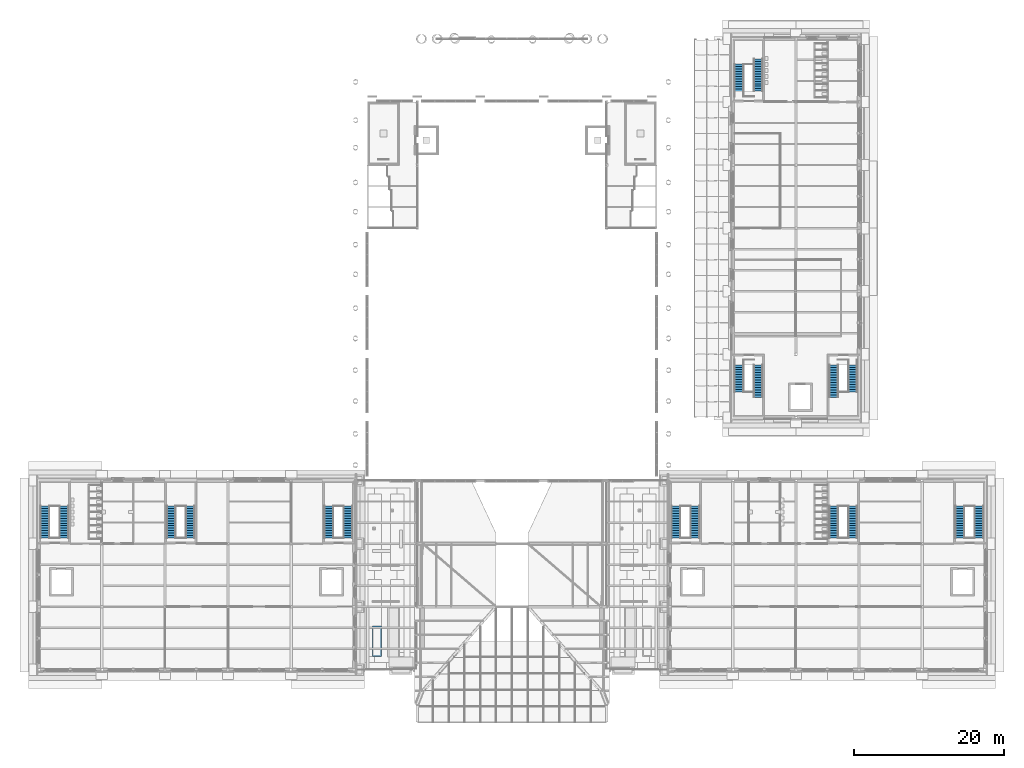
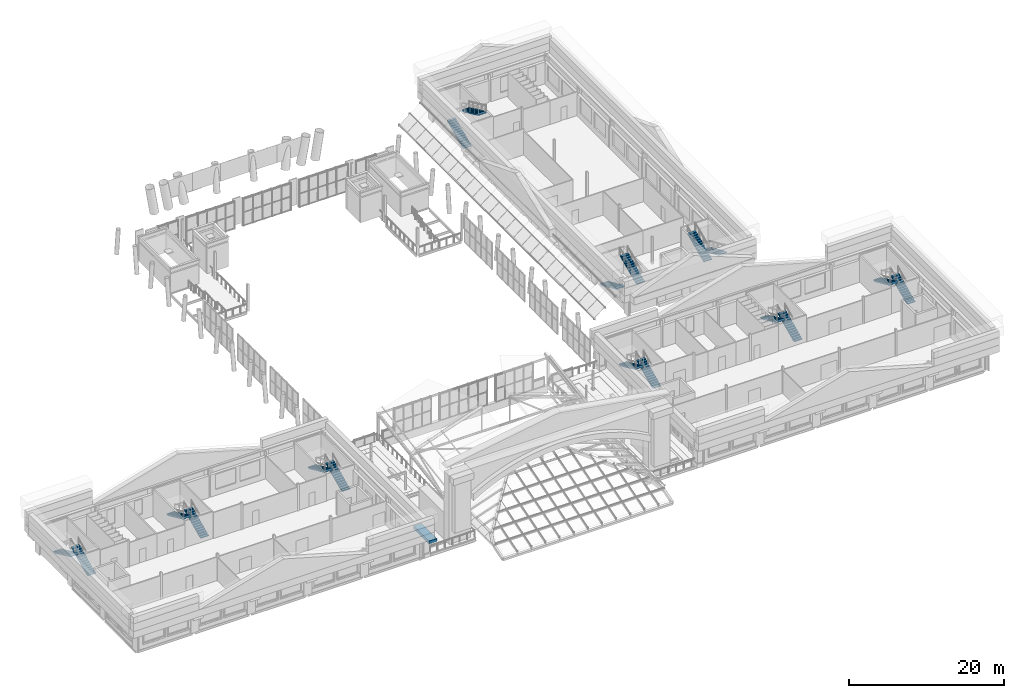
# One storey, part 48 of 76: 18 stair flights, 1 discrete accessory, 9 elements without a shape of their own.
"""IFC4 building model written with IfcOpenShell, lengths in metres."""

from ifc_helpers import new_model, si_unit, direction, frame, origin, origin_2d, place, context, subcontext, project, spatial, polyline, rectangle, outline, extrude, material, type_object, element, aggregate, save


model = new_model("IFC4")

# Units and contexts
model_context = context("Model", 3, precision=1e-05, world=origin(), true_north=direction((0.0, 1.0)))
body_context = subcontext(model_context, "Body", "Model", "MODEL_VIEW")
ifc_project = project(units=[si_unit("LENGTHUNIT", "METRE"), si_unit("AREAUNIT", "SQUARE_METRE"), si_unit("VOLUMEUNIT", "CUBIC_METRE"), si_unit("PLANEANGLEUNIT", "RADIAN"), si_unit("MASSUNIT", "GRAM", prefix="KILO")], contexts=[model_context])

# Site, building, storey
site_placement = place(None, origin())
site = spatial("IfcSite", under=ifc_project, at=site_placement, CompositionType="ELEMENT")
building_placement = place(site_placement, origin())
building = spatial("IfcBuilding", under=site, at=building_placement, Name="Sava Quay Ferry Terminal", CompositionType="ELEMENT")
storey_placement = place(building_placement, frame((0.0, 0.0, 10.800048828125)))
storey = spatial("IfcBuildingStorey", under=building, at=storey_placement, Name="L02", CompositionType="ELEMENT", Elevation=10.800048828125)

# Stair, stair flights
ifc_material_1 = material(Name="Concrete C30/37", Category="concrete")
stair_type = type_object("IfcStairType", Name="Stair 1200 half landing", PredefinedType="HALF_TURN_STAIR", material=ifc_material_1)
stair_1_placement = place(storey_placement, origin())
stair_1 = element("IfcStair", 1, at=stair_1_placement, inside=storey, type_object=stair_type, Name="Stair ST-W1 L02", PredefinedType="HALF_TURN_STAIR")
ifc_material_2 = material(Name="Concrete C30/37", Category="concrete")
stair_flight_type = type_object("IfcStairFlightType", Name="Stair flight 1200", PredefinedType="STRAIGHT", material=ifc_material_2)
stair_flight_1_placement = place(storey_placement, frame((3.39990234375, 42.72998046875, 0.0), z_axis=(0.0, 0.0, 1.0), x_axis=(0.0, 1.0, 0.0)))
stair_flight_1 = element("IfcStairFlight", 2, at=stair_flight_1_placement, type_object=stair_flight_type, Name="ST-W1 flight 1", NumberOfRisers=14, NumberOfTreads=13, PredefinedType="STRAIGHT", RiserHeight=0.15, TreadLength=0.33, context=body_context, shape_type="SweptSolid", body=[
    extrude(outline(polyline([(0.0, 0.0), (0.0, 0.14990234375), (0.330078125, 0.14990234375), (0.330078125, 0.300048828125), (0.659912109375, 0.300048828125), (0.659912109375, 0.449951171875), (0.989990234375, 0.449951171875), (0.989990234375, 0.60009765625), (1.320068359375, 0.60009765625), (1.320068359375, 0.75), (1.64990234375, 0.75), (1.64990234375, 0.89990234375), (1.97998046875, 0.89990234375), (1.97998046875, 1.050048828125), (2.31005859375, 1.050048828125), (2.31005859375, 1.199951171875), (2.639892578125, 1.199951171875), (2.639892578125, 1.35009765625), (2.969970703125, 1.35009765625), (2.969970703125, 1.5), (3.300048828125, 1.5), (3.300048828125, 1.64990234375), (3.6298828125, 1.64990234375), (3.6298828125, 1.800048828125), (3.9599609375, 1.800048828125), (3.9599609375, 1.949951171875), (4.2900390625, 1.949951171875), (4.2900390625, 2.10009765625), (4.2900390625, 1.785400390625), (0.3623046875, 0.0), (0.0, 0.0)])), frame((0.0, 0.60009765625, 0.0), z_axis=(0.0, -1.0, 0.0), x_axis=(1.0, 0.0, 0.0)), (0.0, 0.0, 1.0), 1.199951171875),
])
stair_flight_2_placement = place(storey_placement, frame((0.800048828125, 47.02001953125, 2.099853515625), z_axis=(0.0, 0.0, 1.0), x_axis=(0.0, -1.0, 0.0)))
stair_flight_2 = element("IfcStairFlight", 3, at=stair_flight_2_placement, type_object=stair_flight_type, Name="ST-W1 flight 2", NumberOfRisers=14, NumberOfTreads=13, PredefinedType="STRAIGHT", RiserHeight=0.15, TreadLength=0.33, context=body_context, shape_type="SweptSolid", body=[
    extrude(outline(polyline([(0.0, 0.0), (0.0, 0.14990234375), (0.330078125, 0.14990234375), (0.330078125, 0.300048828125), (0.659912109375, 0.300048828125), (0.659912109375, 0.449951171875), (0.989990234375, 0.449951171875), (0.989990234375, 0.60009765625), (1.320068359375, 0.60009765625), (1.320068359375, 0.75), (1.64990234375, 0.75), (1.64990234375, 0.89990234375), (1.97998046875, 0.89990234375), (1.97998046875, 1.050048828125), (2.31005859375, 1.050048828125), (2.31005859375, 1.199951171875), (2.639892578125, 1.199951171875), (2.639892578125, 1.35009765625), (2.969970703125, 1.35009765625), (2.969970703125, 1.5), (3.300048828125, 1.5), (3.300048828125, 1.64990234375), (3.6298828125, 1.64990234375), (3.6298828125, 1.800048828125), (3.9599609375, 1.800048828125), (3.9599609375, 1.949951171875), (4.2900390625, 1.949951171875), (4.2900390625, 2.10009765625), (4.2900390625, 1.785400390625), (0.3623046875, 0.0), (0.0, 0.0)])), frame((0.0, 0.60009765625, 0.0), z_axis=(0.0, -1.0, 0.0), x_axis=(1.0, 0.0, 0.0)), (0.0, 0.0, 1.0), 1.199951171875),
])
aggregate(stair_1, [stair_flight_1, stair_flight_2])

stair_2_placement = place(storey_placement, origin())
stair_2 = element("IfcStair", 4, at=stair_2_placement, inside=storey, type_object=stair_type, Name="Stair ST-W3 L02", PredefinedType="HALF_TURN_STAIR")
stair_flight_3_placement = place(storey_placement, frame((20.199951171875, 42.72998046875, 0.0), z_axis=(0.0, 0.0, 1.0), x_axis=(0.0, 1.0, 0.0)))
stair_flight_3 = element("IfcStairFlight", 5, at=stair_flight_3_placement, type_object=stair_flight_type, Name="ST-W3 flight 1", NumberOfRisers=14, NumberOfTreads=13, PredefinedType="STRAIGHT", RiserHeight=0.15, TreadLength=0.33, context=body_context, shape_type="SweptSolid", body=[
    extrude(outline(polyline([(0.0, 0.0), (0.0, 0.14990234375), (0.330078125, 0.14990234375), (0.330078125, 0.300048828125), (0.659912109375, 0.300048828125), (0.659912109375, 0.449951171875), (0.989990234375, 0.449951171875), (0.989990234375, 0.60009765625), (1.320068359375, 0.60009765625), (1.320068359375, 0.75), (1.64990234375, 0.75), (1.64990234375, 0.89990234375), (1.97998046875, 0.89990234375), (1.97998046875, 1.050048828125), (2.31005859375, 1.050048828125), (2.31005859375, 1.199951171875), (2.639892578125, 1.199951171875), (2.639892578125, 1.35009765625), (2.969970703125, 1.35009765625), (2.969970703125, 1.5), (3.300048828125, 1.5), (3.300048828125, 1.64990234375), (3.6298828125, 1.64990234375), (3.6298828125, 1.800048828125), (3.9599609375, 1.800048828125), (3.9599609375, 1.949951171875), (4.2900390625, 1.949951171875), (4.2900390625, 2.10009765625), (4.2900390625, 1.785400390625), (0.3623046875, 0.0), (0.0, 0.0)])), frame((0.0, 0.60009765625, 0.0), z_axis=(0.0, -1.0, 0.0), x_axis=(1.0, 0.0, 0.0)), (0.0, 0.0, 1.0), 1.199951171875),
])
stair_flight_4_placement = place(storey_placement, frame((17.60009765625, 47.02001953125, 2.099853515625), z_axis=(0.0, 0.0, 1.0), x_axis=(0.0, -1.0, 0.0)))
stair_flight_4 = element("IfcStairFlight", 6, at=stair_flight_4_placement, type_object=stair_flight_type, Name="ST-W3 flight 2", NumberOfRisers=14, NumberOfTreads=13, PredefinedType="STRAIGHT", RiserHeight=0.15, TreadLength=0.33, context=body_context, shape_type="SweptSolid", body=[
    extrude(outline(polyline([(0.0, 0.0), (0.0, 0.14990234375), (0.330078125, 0.14990234375), (0.330078125, 0.300048828125), (0.659912109375, 0.300048828125), (0.659912109375, 0.449951171875), (0.989990234375, 0.449951171875), (0.989990234375, 0.60009765625), (1.320068359375, 0.60009765625), (1.320068359375, 0.75), (1.64990234375, 0.75), (1.64990234375, 0.89990234375), (1.97998046875, 0.89990234375), (1.97998046875, 1.050048828125), (2.31005859375, 1.050048828125), (2.31005859375, 1.199951171875), (2.639892578125, 1.199951171875), (2.639892578125, 1.35009765625), (2.969970703125, 1.35009765625), (2.969970703125, 1.5), (3.300048828125, 1.5), (3.300048828125, 1.64990234375), (3.6298828125, 1.64990234375), (3.6298828125, 1.800048828125), (3.9599609375, 1.800048828125), (3.9599609375, 1.949951171875), (4.2900390625, 1.949951171875), (4.2900390625, 2.10009765625), (4.2900390625, 1.785400390625), (0.3623046875, 0.0), (0.0, 0.0)])), frame((0.0, 0.60009765625, 0.0), z_axis=(0.0, -1.0, 0.0), x_axis=(1.0, 0.0, 0.0)), (0.0, 0.0, 1.0), 1.199951171875),
])
aggregate(stair_2, [stair_flight_3, stair_flight_4])

stair_3_placement = place(storey_placement, origin())
stair_3 = element("IfcStair", 7, at=stair_3_placement, inside=storey, type_object=stair_type, Name="Stair ST-W2 L02", PredefinedType="HALF_TURN_STAIR")
stair_flight_5_placement = place(storey_placement, frame((41.199951171875, 42.72998046875, 0.0), z_axis=(0.0, 0.0, 1.0), x_axis=(0.0, 1.0, 0.0)))
stair_flight_5 = element("IfcStairFlight", 8, at=stair_flight_5_placement, type_object=stair_flight_type, Name="ST-W2 flight 1", NumberOfRisers=14, NumberOfTreads=13, PredefinedType="STRAIGHT", RiserHeight=0.15, TreadLength=0.33, context=body_context, shape_type="SweptSolid", body=[
    extrude(outline(polyline([(0.0, 0.0), (0.0, 0.14990234375), (0.330078125, 0.14990234375), (0.330078125, 0.300048828125), (0.659912109375, 0.300048828125), (0.659912109375, 0.449951171875), (0.989990234375, 0.449951171875), (0.989990234375, 0.60009765625), (1.320068359375, 0.60009765625), (1.320068359375, 0.75), (1.64990234375, 0.75), (1.64990234375, 0.89990234375), (1.97998046875, 0.89990234375), (1.97998046875, 1.050048828125), (2.31005859375, 1.050048828125), (2.31005859375, 1.199951171875), (2.639892578125, 1.199951171875), (2.639892578125, 1.35009765625), (2.969970703125, 1.35009765625), (2.969970703125, 1.5), (3.300048828125, 1.5), (3.300048828125, 1.64990234375), (3.6298828125, 1.64990234375), (3.6298828125, 1.800048828125), (3.9599609375, 1.800048828125), (3.9599609375, 1.949951171875), (4.2900390625, 1.949951171875), (4.2900390625, 2.10009765625), (4.2900390625, 1.785400390625), (0.3623046875, 0.0), (0.0, 0.0)])), frame((0.0, 0.60009765625, 0.0), z_axis=(0.0, -1.0, 0.0), x_axis=(1.0, 0.0, 0.0)), (0.0, 0.0, 1.0), 1.199951171875),
])
stair_flight_6_placement = place(storey_placement, frame((38.60009765625, 47.02001953125, 2.099853515625), z_axis=(0.0, 0.0, 1.0), x_axis=(0.0, -1.0, 0.0)))
stair_flight_6 = element("IfcStairFlight", 9, at=stair_flight_6_placement, type_object=stair_flight_type, Name="ST-W2 flight 2", NumberOfRisers=14, NumberOfTreads=13, PredefinedType="STRAIGHT", RiserHeight=0.15, TreadLength=0.33, context=body_context, shape_type="SweptSolid", body=[
    extrude(outline(polyline([(0.0, 0.0), (0.0, 0.14990234375), (0.330078125, 0.14990234375), (0.330078125, 0.300048828125), (0.659912109375, 0.300048828125), (0.659912109375, 0.449951171875), (0.989990234375, 0.449951171875), (0.989990234375, 0.60009765625), (1.320068359375, 0.60009765625), (1.320068359375, 0.75), (1.64990234375, 0.75), (1.64990234375, 0.89990234375), (1.97998046875, 0.89990234375), (1.97998046875, 1.050048828125), (2.31005859375, 1.050048828125), (2.31005859375, 1.199951171875), (2.639892578125, 1.199951171875), (2.639892578125, 1.35009765625), (2.969970703125, 1.35009765625), (2.969970703125, 1.5), (3.300048828125, 1.5), (3.300048828125, 1.64990234375), (3.6298828125, 1.64990234375), (3.6298828125, 1.800048828125), (3.9599609375, 1.800048828125), (3.9599609375, 1.949951171875), (4.2900390625, 1.949951171875), (4.2900390625, 2.10009765625), (4.2900390625, 1.785400390625), (0.3623046875, 0.0), (0.0, 0.0)])), frame((0.0, 0.60009765625, 0.0), z_axis=(0.0, -1.0, 0.0), x_axis=(1.0, 0.0, 0.0)), (0.0, 0.0, 1.0), 1.199951171875),
])
aggregate(stair_3, [stair_flight_5, stair_flight_6])

stair_4_placement = place(storey_placement, origin())
stair_4 = element("IfcStair", 10, at=stair_4_placement, inside=storey, type_object=stair_type, Name="Stair ST-P1 L02", PredefinedType="HALF_TURN_STAIR")
stair_flight_7_placement = place(storey_placement, frame((87.39990234375, 42.72998046875, 0.0), z_axis=(0.0, 0.0, 1.0), x_axis=(0.0, 1.0, 0.0)))
stair_flight_7 = element("IfcStairFlight", 11, at=stair_flight_7_placement, type_object=stair_flight_type, Name="ST-P1 flight 1", NumberOfRisers=14, NumberOfTreads=13, PredefinedType="STRAIGHT", RiserHeight=0.15, TreadLength=0.33, context=body_context, shape_type="SweptSolid", body=[
    extrude(outline(polyline([(0.0, 0.0), (0.0, 0.14990234375), (0.330078125, 0.14990234375), (0.330078125, 0.300048828125), (0.659912109375, 0.300048828125), (0.659912109375, 0.449951171875), (0.989990234375, 0.449951171875), (0.989990234375, 0.60009765625), (1.320068359375, 0.60009765625), (1.320068359375, 0.75), (1.64990234375, 0.75), (1.64990234375, 0.89990234375), (1.97998046875, 0.89990234375), (1.97998046875, 1.050048828125), (2.31005859375, 1.050048828125), (2.31005859375, 1.199951171875), (2.639892578125, 1.199951171875), (2.639892578125, 1.35009765625), (2.969970703125, 1.35009765625), (2.969970703125, 1.5), (3.300048828125, 1.5), (3.300048828125, 1.64990234375), (3.6298828125, 1.64990234375), (3.6298828125, 1.800048828125), (3.9599609375, 1.800048828125), (3.9599609375, 1.949951171875), (4.2900390625, 1.949951171875), (4.2900390625, 2.10009765625), (4.2900390625, 1.785400390625), (0.3623046875, 0.0), (0.0, 0.0)])), frame((0.0, 0.60009765625, 0.0), z_axis=(0.0, -1.0, 0.0), x_axis=(1.0, 0.0, 0.0)), (0.0, 0.0, 1.0), 1.199951171875),
])
stair_flight_8_placement = place(storey_placement, frame((84.800048828125, 47.02001953125, 2.099853515625), z_axis=(0.0, 0.0, 1.0), x_axis=(0.0, -1.0, 0.0)))
stair_flight_8 = element("IfcStairFlight", 12, at=stair_flight_8_placement, type_object=stair_flight_type, Name="ST-P1 flight 2", NumberOfRisers=14, NumberOfTreads=13, PredefinedType="STRAIGHT", RiserHeight=0.15, TreadLength=0.33, context=body_context, shape_type="SweptSolid", body=[
    extrude(outline(polyline([(0.0, 0.0), (0.0, 0.14990234375), (0.330078125, 0.14990234375), (0.330078125, 0.300048828125), (0.659912109375, 0.300048828125), (0.659912109375, 0.449951171875), (0.989990234375, 0.449951171875), (0.989990234375, 0.60009765625), (1.320068359375, 0.60009765625), (1.320068359375, 0.75), (1.64990234375, 0.75), (1.64990234375, 0.89990234375), (1.97998046875, 0.89990234375), (1.97998046875, 1.050048828125), (2.31005859375, 1.050048828125), (2.31005859375, 1.199951171875), (2.639892578125, 1.199951171875), (2.639892578125, 1.35009765625), (2.969970703125, 1.35009765625), (2.969970703125, 1.5), (3.300048828125, 1.5), (3.300048828125, 1.64990234375), (3.6298828125, 1.64990234375), (3.6298828125, 1.800048828125), (3.9599609375, 1.800048828125), (3.9599609375, 1.949951171875), (4.2900390625, 1.949951171875), (4.2900390625, 2.10009765625), (4.2900390625, 1.785400390625), (0.3623046875, 0.0), (0.0, 0.0)])), frame((0.0, 0.60009765625, 0.0), z_axis=(0.0, -1.0, 0.0), x_axis=(1.0, 0.0, 0.0)), (0.0, 0.0, 1.0), 1.199951171875),
])
aggregate(stair_4, [stair_flight_7, stair_flight_8])

stair_5_placement = place(storey_placement, origin())
stair_5 = element("IfcStair", 13, at=stair_5_placement, inside=storey, type_object=stair_type, Name="Stair ST-P3 L02", PredefinedType="HALF_TURN_STAIR")
stair_flight_9_placement = place(storey_placement, frame((108.39990234375, 42.72998046875, 0.0), z_axis=(0.0, 0.0, 1.0), x_axis=(0.0, 1.0, 0.0)))
stair_flight_9 = element("IfcStairFlight", 14, at=stair_flight_9_placement, type_object=stair_flight_type, Name="ST-P3 flight 1", NumberOfRisers=14, NumberOfTreads=13, PredefinedType="STRAIGHT", RiserHeight=0.15, TreadLength=0.33, context=body_context, shape_type="SweptSolid", body=[
    extrude(outline(polyline([(0.0, 0.0), (0.0, 0.14990234375), (0.330078125, 0.14990234375), (0.330078125, 0.300048828125), (0.659912109375, 0.300048828125), (0.659912109375, 0.449951171875), (0.989990234375, 0.449951171875), (0.989990234375, 0.60009765625), (1.320068359375, 0.60009765625), (1.320068359375, 0.75), (1.64990234375, 0.75), (1.64990234375, 0.89990234375), (1.97998046875, 0.89990234375), (1.97998046875, 1.050048828125), (2.31005859375, 1.050048828125), (2.31005859375, 1.199951171875), (2.639892578125, 1.199951171875), (2.639892578125, 1.35009765625), (2.969970703125, 1.35009765625), (2.969970703125, 1.5), (3.300048828125, 1.5), (3.300048828125, 1.64990234375), (3.6298828125, 1.64990234375), (3.6298828125, 1.800048828125), (3.9599609375, 1.800048828125), (3.9599609375, 1.949951171875), (4.2900390625, 1.949951171875), (4.2900390625, 2.10009765625), (4.2900390625, 1.785400390625), (0.3623046875, 0.0), (0.0, 0.0)])), frame((0.0, 0.60009765625, 0.0), z_axis=(0.0, -1.0, 0.0), x_axis=(1.0, 0.0, 0.0)), (0.0, 0.0, 1.0), 1.199951171875),
])
stair_flight_10_placement = place(storey_placement, frame((105.800048828125, 47.02001953125, 2.099853515625), z_axis=(0.0, 0.0, 1.0), x_axis=(0.0, -1.0, 0.0)))
stair_flight_10 = element("IfcStairFlight", 15, at=stair_flight_10_placement, type_object=stair_flight_type, Name="ST-P3 flight 2", NumberOfRisers=14, NumberOfTreads=13, PredefinedType="STRAIGHT", RiserHeight=0.15, TreadLength=0.33, context=body_context, shape_type="SweptSolid", body=[
    extrude(outline(polyline([(0.0, 0.0), (0.0, 0.14990234375), (0.330078125, 0.14990234375), (0.330078125, 0.300048828125), (0.659912109375, 0.300048828125), (0.659912109375, 0.449951171875), (0.989990234375, 0.449951171875), (0.989990234375, 0.60009765625), (1.320068359375, 0.60009765625), (1.320068359375, 0.75), (1.64990234375, 0.75), (1.64990234375, 0.89990234375), (1.97998046875, 0.89990234375), (1.97998046875, 1.050048828125), (2.31005859375, 1.050048828125), (2.31005859375, 1.199951171875), (2.639892578125, 1.199951171875), (2.639892578125, 1.35009765625), (2.969970703125, 1.35009765625), (2.969970703125, 1.5), (3.300048828125, 1.5), (3.300048828125, 1.64990234375), (3.6298828125, 1.64990234375), (3.6298828125, 1.800048828125), (3.9599609375, 1.800048828125), (3.9599609375, 1.949951171875), (4.2900390625, 1.949951171875), (4.2900390625, 2.10009765625), (4.2900390625, 1.785400390625), (0.3623046875, 0.0), (0.0, 0.0)])), frame((0.0, 0.60009765625, 0.0), z_axis=(0.0, -1.0, 0.0), x_axis=(1.0, 0.0, 0.0)), (0.0, 0.0, 1.0), 1.199951171875),
])
aggregate(stair_5, [stair_flight_9, stair_flight_10])

stair_6_placement = place(storey_placement, origin())
stair_6 = element("IfcStair", 16, at=stair_6_placement, inside=storey, type_object=stair_type, Name="Stair ST-P2 L02", PredefinedType="HALF_TURN_STAIR")
stair_flight_11_placement = place(storey_placement, frame((125.199951171875, 42.72998046875, 0.0), z_axis=(0.0, 0.0, 1.0), x_axis=(0.0, 1.0, 0.0)))
stair_flight_11 = element("IfcStairFlight", 17, at=stair_flight_11_placement, type_object=stair_flight_type, Name="ST-P2 flight 1", NumberOfRisers=14, NumberOfTreads=13, PredefinedType="STRAIGHT", RiserHeight=0.15, TreadLength=0.33, context=body_context, shape_type="SweptSolid", body=[
    extrude(outline(polyline([(0.0, 0.0), (0.0, 0.14990234375), (0.330078125, 0.14990234375), (0.330078125, 0.300048828125), (0.659912109375, 0.300048828125), (0.659912109375, 0.449951171875), (0.989990234375, 0.449951171875), (0.989990234375, 0.60009765625), (1.320068359375, 0.60009765625), (1.320068359375, 0.75), (1.64990234375, 0.75), (1.64990234375, 0.89990234375), (1.97998046875, 0.89990234375), (1.97998046875, 1.050048828125), (2.31005859375, 1.050048828125), (2.31005859375, 1.199951171875), (2.639892578125, 1.199951171875), (2.639892578125, 1.35009765625), (2.969970703125, 1.35009765625), (2.969970703125, 1.5), (3.300048828125, 1.5), (3.300048828125, 1.64990234375), (3.6298828125, 1.64990234375), (3.6298828125, 1.800048828125), (3.9599609375, 1.800048828125), (3.9599609375, 1.949951171875), (4.2900390625, 1.949951171875), (4.2900390625, 2.10009765625), (4.2900390625, 1.785400390625), (0.3623046875, 0.0), (0.0, 0.0)])), frame((0.0, 0.60009765625, 0.0), z_axis=(0.0, -1.0, 0.0), x_axis=(1.0, 0.0, 0.0)), (0.0, 0.0, 1.0), 1.199951171875),
])
stair_flight_12_placement = place(storey_placement, frame((122.60009765625, 47.02001953125, 2.099853515625), z_axis=(0.0, 0.0, 1.0), x_axis=(0.0, -1.0, 0.0)))
stair_flight_12 = element("IfcStairFlight", 18, at=stair_flight_12_placement, type_object=stair_flight_type, Name="ST-P2 flight 2", NumberOfRisers=14, NumberOfTreads=13, PredefinedType="STRAIGHT", RiserHeight=0.15, TreadLength=0.33, context=body_context, shape_type="SweptSolid", body=[
    extrude(outline(polyline([(0.0, 0.0), (0.0, 0.14990234375), (0.330078125, 0.14990234375), (0.330078125, 0.300048828125), (0.659912109375, 0.300048828125), (0.659912109375, 0.449951171875), (0.989990234375, 0.449951171875), (0.989990234375, 0.60009765625), (1.320068359375, 0.60009765625), (1.320068359375, 0.75), (1.64990234375, 0.75), (1.64990234375, 0.89990234375), (1.97998046875, 0.89990234375), (1.97998046875, 1.050048828125), (2.31005859375, 1.050048828125), (2.31005859375, 1.199951171875), (2.639892578125, 1.199951171875), (2.639892578125, 1.35009765625), (2.969970703125, 1.35009765625), (2.969970703125, 1.5), (3.300048828125, 1.5), (3.300048828125, 1.64990234375), (3.6298828125, 1.64990234375), (3.6298828125, 1.800048828125), (3.9599609375, 1.800048828125), (3.9599609375, 1.949951171875), (4.2900390625, 1.949951171875), (4.2900390625, 2.10009765625), (4.2900390625, 1.785400390625), (0.3623046875, 0.0), (0.0, 0.0)])), frame((0.0, 0.60009765625, 0.0), z_axis=(0.0, -1.0, 0.0), x_axis=(1.0, 0.0, 0.0)), (0.0, 0.0, 1.0), 1.199951171875),
])
aggregate(stair_6, [stair_flight_11, stair_flight_12])

stair_7_placement = place(storey_placement, origin())
stair_7 = element("IfcStair", 19, at=stair_7_placement, inside=storey, type_object=stair_type, Name="Stair ST-O1 L02", PredefinedType="HALF_TURN_STAIR")
stair_flight_13_placement = place(storey_placement, frame((93.199951171875, 66.469970703125, 0.0), z_axis=(0.0, 0.0, 1.0), x_axis=(0.0, -1.0, 0.0)))
stair_flight_13 = element("IfcStairFlight", 20, at=stair_flight_13_placement, type_object=stair_flight_type, Name="ST-O1 flight 1", NumberOfRisers=14, NumberOfTreads=13, PredefinedType="STRAIGHT", RiserHeight=0.15, TreadLength=0.33, context=body_context, shape_type="SweptSolid", body=[
    extrude(outline(polyline([(0.0, 0.0), (0.0, 0.14990234375), (0.330078125, 0.14990234375), (0.330078125, 0.300048828125), (0.659912109375, 0.300048828125), (0.659912109375, 0.449951171875), (0.989990234375, 0.449951171875), (0.989990234375, 0.60009765625), (1.320068359375, 0.60009765625), (1.320068359375, 0.75), (1.64990234375, 0.75), (1.64990234375, 0.89990234375), (1.97998046875, 0.89990234375), (1.97998046875, 1.050048828125), (2.31005859375, 1.050048828125), (2.31005859375, 1.199951171875), (2.639892578125, 1.199951171875), (2.639892578125, 1.35009765625), (2.969970703125, 1.35009765625), (2.969970703125, 1.5), (3.300048828125, 1.5), (3.300048828125, 1.64990234375), (3.6298828125, 1.64990234375), (3.6298828125, 1.800048828125), (3.9599609375, 1.800048828125), (3.9599609375, 1.949951171875), (4.2900390625, 1.949951171875), (4.2900390625, 2.10009765625), (4.2900390625, 1.785400390625), (0.3623046875, 0.0), (0.0, 0.0)])), frame((0.0, 0.60009765625, 0.0), z_axis=(0.0, -1.0, 0.0), x_axis=(1.0, 0.0, 0.0)), (0.0, 0.0, 1.0), 1.199951171875),
])
stair_flight_14_placement = place(storey_placement, frame((95.800048828125, 61.47998046875, 2.099853515625), z_axis=(0.0, 0.0, 1.0), x_axis=(0.0, 1.0, 0.0)))
stair_flight_14 = element("IfcStairFlight", 21, at=stair_flight_14_placement, type_object=stair_flight_type, Name="ST-O1 flight 2", NumberOfRisers=14, NumberOfTreads=13, PredefinedType="STRAIGHT", RiserHeight=0.15, TreadLength=0.33, context=body_context, shape_type="SweptSolid", body=[
    extrude(outline(polyline([(0.0, 0.0), (0.0, 0.14990234375), (0.330078125, 0.14990234375), (0.330078125, 0.300048828125), (0.659912109375, 0.300048828125), (0.659912109375, 0.449951171875), (0.989990234375, 0.449951171875), (0.989990234375, 0.60009765625), (1.320068359375, 0.60009765625), (1.320068359375, 0.75), (1.64990234375, 0.75), (1.64990234375, 0.89990234375), (1.97998046875, 0.89990234375), (1.97998046875, 1.050048828125), (2.31005859375, 1.050048828125), (2.31005859375, 1.199951171875), (2.639892578125, 1.199951171875), (2.639892578125, 1.35009765625), (2.969970703125, 1.35009765625), (2.969970703125, 1.5), (3.300048828125, 1.5), (3.300048828125, 1.64990234375), (3.6298828125, 1.64990234375), (3.6298828125, 1.800048828125), (3.9599609375, 1.800048828125), (3.9599609375, 1.949951171875), (4.2900390625, 1.949951171875), (4.2900390625, 2.10009765625), (4.2900390625, 1.785400390625), (0.3623046875, 0.0), (0.0, 0.0)])), frame((0.0, 0.60009765625, 0.0), z_axis=(0.0, -1.0, 0.0), x_axis=(1.0, 0.0, 0.0)), (0.0, 0.0, 1.0), 1.199951171875),
])
aggregate(stair_7, [stair_flight_13, stair_flight_14])

stair_8_placement = place(storey_placement, origin())
stair_8 = element("IfcStair", 22, at=stair_8_placement, inside=storey, type_object=stair_type, Name="Stair ST-O2 L02", PredefinedType="HALF_TURN_STAIR")
stair_flight_15_placement = place(storey_placement, frame((108.39990234375, 66.469970703125, 0.0), z_axis=(0.0, 0.0, 1.0), x_axis=(0.0, -1.0, 0.0)))
stair_flight_15 = element("IfcStairFlight", 23, at=stair_flight_15_placement, type_object=stair_flight_type, Name="ST-O2 flight 1", NumberOfRisers=14, NumberOfTreads=13, PredefinedType="STRAIGHT", RiserHeight=0.15, TreadLength=0.33, context=body_context, shape_type="SweptSolid", body=[
    extrude(outline(polyline([(0.0, 0.0), (0.0, 0.14990234375), (0.330078125, 0.14990234375), (0.330078125, 0.300048828125), (0.659912109375, 0.300048828125), (0.659912109375, 0.449951171875), (0.989990234375, 0.449951171875), (0.989990234375, 0.60009765625), (1.320068359375, 0.60009765625), (1.320068359375, 0.75), (1.64990234375, 0.75), (1.64990234375, 0.89990234375), (1.97998046875, 0.89990234375), (1.97998046875, 1.050048828125), (2.31005859375, 1.050048828125), (2.31005859375, 1.199951171875), (2.639892578125, 1.199951171875), (2.639892578125, 1.35009765625), (2.969970703125, 1.35009765625), (2.969970703125, 1.5), (3.300048828125, 1.5), (3.300048828125, 1.64990234375), (3.6298828125, 1.64990234375), (3.6298828125, 1.800048828125), (3.9599609375, 1.800048828125), (3.9599609375, 1.949951171875), (4.2900390625, 1.949951171875), (4.2900390625, 2.10009765625), (4.2900390625, 1.785400390625), (0.3623046875, 0.0), (0.0, 0.0)])), frame((0.0, 0.60009765625, 0.0), z_axis=(0.0, -1.0, 0.0), x_axis=(1.0, 0.0, 0.0)), (0.0, 0.0, 1.0), 1.199951171875),
])
stair_flight_16_placement = place(storey_placement, frame((105.800048828125, 61.47998046875, 2.099853515625), z_axis=(0.0, 0.0, 1.0), x_axis=(0.0, 1.0, 0.0)))
stair_flight_16 = element("IfcStairFlight", 24, at=stair_flight_16_placement, type_object=stair_flight_type, Name="ST-O2 flight 2", NumberOfRisers=14, NumberOfTreads=13, PredefinedType="STRAIGHT", RiserHeight=0.15, TreadLength=0.33, context=body_context, shape_type="SweptSolid", body=[
    extrude(outline(polyline([(0.0, 0.0), (0.0, 0.14990234375), (0.330078125, 0.14990234375), (0.330078125, 0.300048828125), (0.659912109375, 0.300048828125), (0.659912109375, 0.449951171875), (0.989990234375, 0.449951171875), (0.989990234375, 0.60009765625), (1.320068359375, 0.60009765625), (1.320068359375, 0.75), (1.64990234375, 0.75), (1.64990234375, 0.89990234375), (1.97998046875, 0.89990234375), (1.97998046875, 1.050048828125), (2.31005859375, 1.050048828125), (2.31005859375, 1.199951171875), (2.639892578125, 1.199951171875), (2.639892578125, 1.35009765625), (2.969970703125, 1.35009765625), (2.969970703125, 1.5), (3.300048828125, 1.5), (3.300048828125, 1.64990234375), (3.6298828125, 1.64990234375), (3.6298828125, 1.800048828125), (3.9599609375, 1.800048828125), (3.9599609375, 1.949951171875), (4.2900390625, 1.949951171875), (4.2900390625, 2.10009765625), (4.2900390625, 1.785400390625), (0.3623046875, 0.0), (0.0, 0.0)])), frame((0.0, 0.60009765625, 0.0), z_axis=(0.0, -1.0, 0.0), x_axis=(1.0, 0.0, 0.0)), (0.0, 0.0, 1.0), 1.199951171875),
])
aggregate(stair_8, [stair_flight_15, stair_flight_16])

stair_9_placement = place(storey_placement, origin())
stair_9 = element("IfcStair", 25, at=stair_9_placement, inside=storey, type_object=stair_type, Name="Stair ST-O3 L02", PredefinedType="HALF_TURN_STAIR")
stair_flight_17_placement = place(storey_placement, frame((93.199951171875, 101.530029296875, 0.0), z_axis=(0.0, 0.0, 1.0), x_axis=(0.0, 1.0, 0.0)))
stair_flight_17 = element("IfcStairFlight", 26, at=stair_flight_17_placement, type_object=stair_flight_type, Name="ST-O3 flight 1", NumberOfRisers=14, NumberOfTreads=13, PredefinedType="STRAIGHT", RiserHeight=0.15, TreadLength=0.33, context=body_context, shape_type="SweptSolid", body=[
    extrude(outline(polyline([(0.0, 0.0), (0.0, 0.14990234375), (0.330078125, 0.14990234375), (0.330078125, 0.300048828125), (0.659912109375, 0.300048828125), (0.659912109375, 0.449951171875), (0.989990234375, 0.449951171875), (0.989990234375, 0.60009765625), (1.320068359375, 0.60009765625), (1.320068359375, 0.75), (1.64990234375, 0.75), (1.64990234375, 0.89990234375), (1.97998046875, 0.89990234375), (1.97998046875, 1.050048828125), (2.31005859375, 1.050048828125), (2.31005859375, 1.199951171875), (2.639892578125, 1.199951171875), (2.639892578125, 1.35009765625), (2.969970703125, 1.35009765625), (2.969970703125, 1.5), (3.300048828125, 1.5), (3.300048828125, 1.64990234375), (3.6298828125, 1.64990234375), (3.6298828125, 1.800048828125), (3.9599609375, 1.800048828125), (3.9599609375, 1.949951171875), (4.2900390625, 1.949951171875), (4.2900390625, 2.10009765625), (4.2900390625, 1.785400390625), (0.3623046875, 0.0), (0.0, 0.0)])), frame((0.0, 0.60009765625, 0.0), z_axis=(0.0, -1.0, 0.0), x_axis=(1.0, 0.0, 0.0)), (0.0, 0.0, 1.0), 1.199951171875),
])
stair_flight_18_placement = place(storey_placement, frame((95.800048828125, 106.52001953125, 2.099853515625), z_axis=(0.0, 0.0, 1.0), x_axis=(0.0, -1.0, 0.0)))
stair_flight_18 = element("IfcStairFlight", 27, at=stair_flight_18_placement, type_object=stair_flight_type, Name="ST-O3 flight 2", NumberOfRisers=14, NumberOfTreads=13, PredefinedType="STRAIGHT", RiserHeight=0.15, TreadLength=0.33, context=body_context, shape_type="SweptSolid", body=[
    extrude(outline(polyline([(0.0, 0.0), (0.0, 0.14990234375), (0.330078125, 0.14990234375), (0.330078125, 0.300048828125), (0.659912109375, 0.300048828125), (0.659912109375, 0.449951171875), (0.989990234375, 0.449951171875), (0.989990234375, 0.60009765625), (1.320068359375, 0.60009765625), (1.320068359375, 0.75), (1.64990234375, 0.75), (1.64990234375, 0.89990234375), (1.97998046875, 0.89990234375), (1.97998046875, 1.050048828125), (2.31005859375, 1.050048828125), (2.31005859375, 1.199951171875), (2.639892578125, 1.199951171875), (2.639892578125, 1.35009765625), (2.969970703125, 1.35009765625), (2.969970703125, 1.5), (3.300048828125, 1.5), (3.300048828125, 1.64990234375), (3.6298828125, 1.64990234375), (3.6298828125, 1.800048828125), (3.9599609375, 1.800048828125), (3.9599609375, 1.949951171875), (4.2900390625, 1.949951171875), (4.2900390625, 2.10009765625), (4.2900390625, 1.785400390625), (0.3623046875, 0.0), (0.0, 0.0)])), frame((0.0, 0.60009765625, 0.0), z_axis=(0.0, -1.0, 0.0), x_axis=(1.0, 0.0, 0.0)), (0.0, 0.0, 1.0), 1.199951171875),
])
aggregate(stair_9, [stair_flight_17, stair_flight_18])

# Discrete accessory
ifc_material_3 = material(Name="Precast concrete C30/37", Category="concrete")
discrete_accessory_type = type_object("IfcDiscreteAccessoryType", Name="Roof planter 4000x1200", PredefinedType="NOTDEFINED", material=ifc_material_3)
discrete_accessory_placement = place(storey_placement, frame((45.0, 29.0, 0.0), z_axis=(0.0, 0.0, 1.0), x_axis=(1.0, 0.0, 0.0)))
element("IfcDiscreteAccessory", 28, at=discrete_accessory_placement, inside=storey, type_object=discrete_accessory_type, Name="Roof planter", PredefinedType="NOTDEFINED", context=body_context, shape_type="SweptSolid", body=[
    extrude(rectangle(XDim=1.199951171875, YDim=4.0, at=origin_2d()), origin(), (0.0, 0.0, 1.0), 0.449951171875),
])

save(model, "model.ifc")
